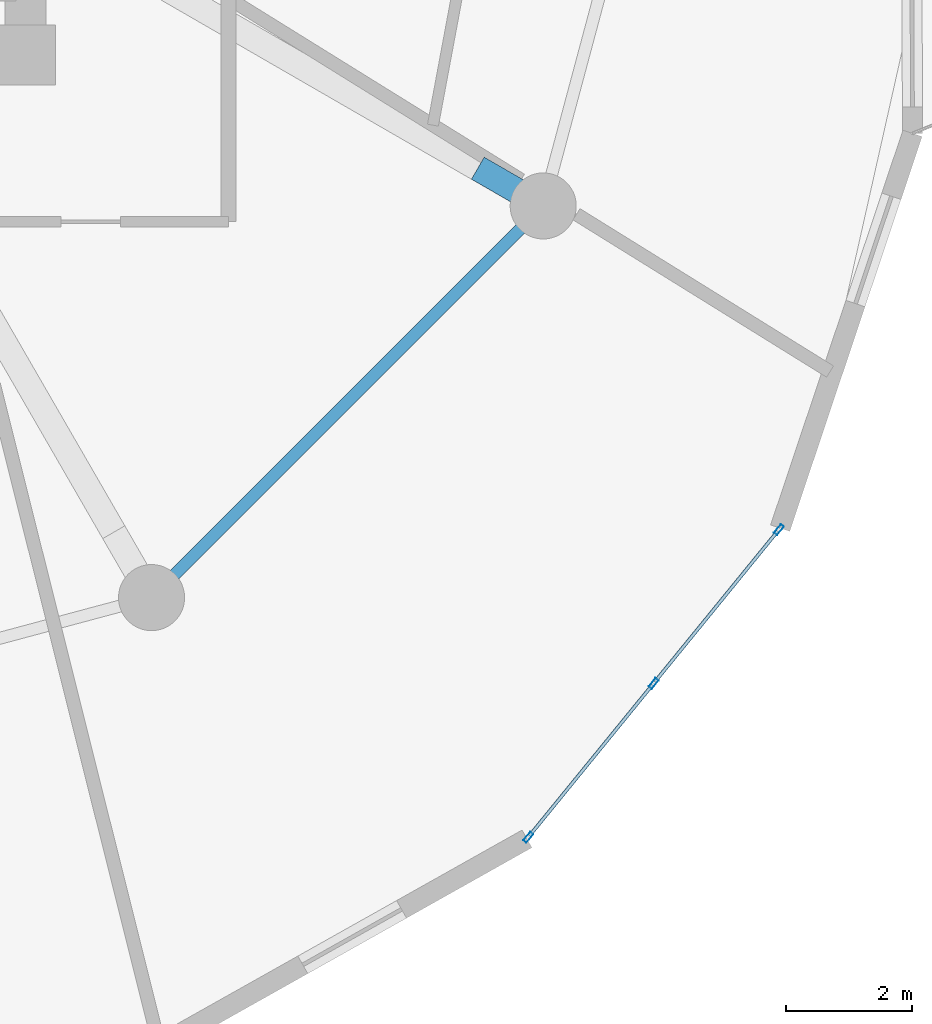
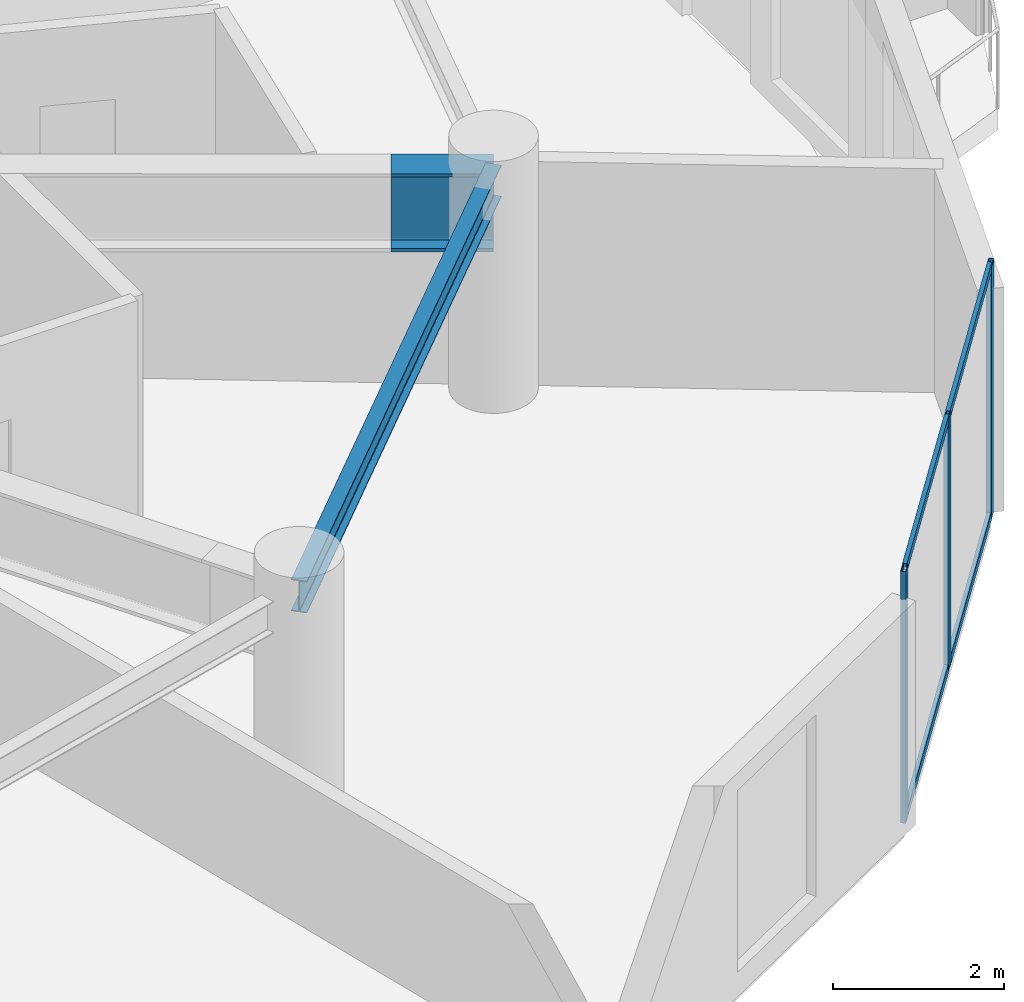
# One storey, part 9 of 22: 7 members, 2 beams, 1 element without a shape of its own.
"""IFC4 building model written with IfcOpenShell, lengths in metres."""

from ifc_helpers import new_model, si_unit, direction, frame, origin, origin_2d, place, context, subcontext, project, spatial, hollow_rectangle, i_section, extrude, source, transform, mapped, material, layer, layer_set, material_profile, profile_set, type_object, element, aggregate, save


model = new_model("IFC4")

# Units and contexts
model_context = context("Model", 3, precision=1e-05, world=origin(), true_north=direction((0.0, 1.0)))
body_context = subcontext(model_context, "Body", "Model", "MODEL_VIEW")
ifc_project = project(units=[si_unit("LENGTHUNIT", "METRE"), si_unit("AREAUNIT", "SQUARE_METRE"), si_unit("VOLUMEUNIT", "CUBIC_METRE"), si_unit("PLANEANGLEUNIT", "RADIAN"), si_unit("MASSUNIT", "GRAM", prefix="KILO")], contexts=[model_context])

# Site, building, storey
site_placement = place(None, origin())
site = spatial("IfcSite", under=ifc_project, at=site_placement, CompositionType="ELEMENT")
building_placement = place(site_placement, origin())
building = spatial("IfcBuilding", under=site, at=building_placement, Name="Solvirekh Grand Hotel", CompositionType="ELEMENT")
storey_placement = place(building_placement, frame((0.0, 0.0, 160.199951171875)))
storey = spatial("IfcBuildingStorey", under=building, at=storey_placement, Name="L41", CompositionType="ELEMENT", Elevation=160.199951171875)

# Beams
ifc_material_1 = material(Name="Steel S355", Category="steel")
ifc_material_profile_1 = material_profile(ifc_material_1, i_section(OverallWidth=0.18994140625, OverallDepth=0.45703125, WebThickness=0.009033203125, FlangeThickness=0.013916015625, FilletRadius=0.012939453125, at=origin_2d()), Name="W460X74")
ifc_profile_set_1 = profile_set([ifc_material_profile_1], Name="Steel S355")
beam_type_1 = type_object("IfcBeamType", Name="Spandrel_Ring_W460", PredefinedType="SPANDREL", material=ifc_profile_set_1)
beam_1_placement = place(storey_placement, frame((8.5, -14.721923828125, 2.97216796875), z_axis=(0.707106781187, 0.707106781187, 0.0), x_axis=(-0.707106781187, 0.707106781187, 0.0)))
element("IfcBeam", 1, at=beam_1_placement, inside=storey, type_object=beam_type_1, Name="L41 perimeter spandrel beam 11", PredefinedType="SPANDREL", context=body_context, shape_type="SweptSolid", body=[
    extrude(i_section(OverallWidth=0.18994140625, OverallDepth=0.45703125, WebThickness=0.009033203125, FlangeThickness=0.013916015625, FilletRadius=0.012939453125, at=origin_2d()), origin(), (0.0, 0.0, 1.0), 8.799072265625),
])
ifc_material_2 = material(Name="Steel S460", Category="steel")
ifc_material_profile_2 = material_profile(ifc_material_2, i_section(OverallWidth=0.405029296875, OverallDepth=1.117919921875, WebThickness=0.02587890625, FlangeThickness=0.048095703125, FilletRadius=0.02392578125, at=origin_2d()), Name="W1100X499")
ifc_profile_set_2 = profile_set([ifc_material_profile_2], Name="Steel S460")
beam_type_2 = type_object("IfcBeamType", Name="TransferGirder_W1100", PredefinedType="USERDEFINED", material=ifc_profile_set_2)
beam_2_placement = place(storey_placement, frame((13.68310546875, -7.89990234375, 2.64111328125), z_axis=(0.865904249203, -0.500209787201, 0.0), x_axis=(0.500209787201, 0.865904249203, 0.0)))
element("IfcBeam", 2, at=beam_2_placement, inside=storey, type_object=beam_type_2, Name="L41 outer radial transfer girder 12B", ObjectType="TRANSFER GIRDER", PredefinedType="USERDEFINED", context=body_context, shape_type="SweptSolid", body=[
    extrude(i_section(OverallWidth=0.405029296875, OverallDepth=1.117919921875, WebThickness=0.02587890625, FlangeThickness=0.048095703125, FilletRadius=0.02392578125, at=origin_2d()), origin(), (0.0, 0.0, 1.0), 1.19970703125),
])

# Curtain wall, members
ifc_material_3 = material(Name="Anodized Bronze Aluminium 6063-T6", Category="aluminium")
ifc_layer = layer(ifc_material_3, 0.175048828125)
ifc_layer_set = layer_set([ifc_layer], Name="Anodized Bronze Aluminium 6063-T6")
curtain_wall_type = type_object("IfcCurtainWallType", Name="CW_Sys3_MidZoneFlushBronzeCW", PredefinedType="NOTDEFINED", material=ifc_layer_set)
curtain_wall_placement = place(storey_placement, origin())
curtain_wall = element("IfcCurtainWall", 3, at=curtain_wall_placement, inside=storey, type_object=curtain_wall_type, Name="L41 unitised bronze-glass curtain wall CW-L41-C01", PredefinedType="NOTDEFINED")
ifc_material_profile_3 = material_profile(ifc_material_3, hollow_rectangle(XDim=0.06494140625, YDim=0.175048828125, WallThickness=0.0048828125, at=origin_2d()), Name="ALU RHS 175X65X5")
ifc_profile_set_3 = profile_set([ifc_material_profile_3], Name="Anodized Bronze Aluminium 6063-T6")
member_type_1 = type_object("IfcMemberType", Name="CWMullion_Sys3", PredefinedType="MULLION", material=ifc_profile_set_3)
shared_shape_1 = source(origin(), body_context, "Body", "SweptSolid", [
    extrude(hollow_rectangle(XDim=0.06494140625, YDim=0.175048828125, WallThickness=0.0048828125, at=origin_2d()), origin(), (0.0, 0.0, 1.0), 3.60009765625),
])
member_1_placement = place(storey_placement, frame((14.484619140625, -18.52978515625, 0.0), z_axis=(0.0, 0.0, 1.0), x_axis=(-0.77521505001, 0.631697416679, 0.0)))
member_1 = element("IfcMember", 4, at=member_1_placement, type_object=member_type_1, Name="U03 mullion 1", PredefinedType="MULLION", context=body_context, shape_type="MappedRepresentation", body=[
    mapped(shared_shape_1, transform((0.0, 0.0, 0.0), x_axis=(1.0, 0.0, 0.0), y_axis=(0.0, 1.0, 0.0), z_axis=(0.0, 0.0, 1.0), scale=1.0)),
])
member_2_placement = place(storey_placement, frame((16.4755859375, -16.08642578125, 0.0), z_axis=(0.0, 0.0, 1.0), x_axis=(-0.77521505001, 0.631697416679, 0.0)))
member_2 = element("IfcMember", 5, at=member_2_placement, type_object=member_type_1, Name="U03 mullion 2", PredefinedType="MULLION", context=body_context, shape_type="MappedRepresentation", body=[
    mapped(shared_shape_1, transform((0.0, 0.0, 0.0), x_axis=(1.0, 0.0, 0.0), y_axis=(0.0, 1.0, 0.0), z_axis=(0.0, 0.0, 1.0), scale=1.0)),
])
member_3_placement = place(storey_placement, frame((18.466552734375, -13.643310546875, 0.0), z_axis=(0.0, 0.0, 1.0), x_axis=(-0.77521505001, 0.631697416679, 0.0)))
member_3 = element("IfcMember", 6, at=member_3_placement, type_object=member_type_1, Name="U03 mullion 3", PredefinedType="MULLION", context=body_context, shape_type="MappedRepresentation", body=[
    mapped(shared_shape_1, transform((0.0, 0.0, 0.0), x_axis=(1.0, 0.0, 0.0), y_axis=(0.0, 1.0, 0.0), z_axis=(0.0, 0.0, 1.0), scale=1.0)),
])
ifc_material_profile_4 = material_profile(ifc_material_3, hollow_rectangle(XDim=0.054931640625, YDim=0.1201171875, WallThickness=0.00390625, at=origin_2d()), Name="ALU RHS 120X55X4")
ifc_profile_set_4 = profile_set([ifc_material_profile_4], Name="Anodized Bronze Aluminium 6063-T6")
member_type_2 = type_object("IfcMemberType", Name="CWTransom_Sys3", PredefinedType="USERDEFINED", material=ifc_profile_set_4)
shared_shape_2 = source(origin(), body_context, "Body", "SweptSolid", [
    extrude(hollow_rectangle(XDim=0.054931640625, YDim=0.1201171875, WallThickness=0.00390625, at=origin_2d()), origin(), (0.0, 0.0, 1.0), 3.086669921875),
])
member_4_placement = place(storey_placement, frame((14.505126953125, -18.504638671875, 0.027587890625), z_axis=(0.631720484373, 0.775196252328, 0.0), x_axis=(-0.775196252328, 0.631720484373, 0.0)))
member_4 = element("IfcMember", 7, at=member_4_placement, type_object=member_type_2, Name="U03 transom 1.1", ObjectType="TRANSOM", PredefinedType="USERDEFINED", context=body_context, shape_type="MappedRepresentation", body=[
    mapped(shared_shape_2, transform((0.0, 0.0, 0.0), x_axis=(1.0, 0.0, 0.0), y_axis=(0.0, 1.0, 0.0), z_axis=(0.0, 0.0, 1.0), scale=1.0)),
])
member_5_placement = place(storey_placement, frame((14.505126953125, -18.504638671875, 3.572509765625), z_axis=(0.631720484373, 0.775196252328, 0.0), x_axis=(-0.775196252328, 0.631720484373, 0.0)))
member_5 = element("IfcMember", 8, at=member_5_placement, type_object=member_type_2, Name="U03 transom 1.2", ObjectType="TRANSOM", PredefinedType="USERDEFINED", context=body_context, shape_type="MappedRepresentation", body=[
    mapped(shared_shape_2, transform((0.0, 0.0, 0.0), x_axis=(1.0, 0.0, 0.0), y_axis=(0.0, 1.0, 0.0), z_axis=(0.0, 0.0, 1.0), scale=1.0)),
])
member_6_placement = place(storey_placement, frame((16.49609375, -16.061279296875, 0.027587890625), z_axis=(0.631720484373, 0.775196252328, 0.0), x_axis=(-0.775196252328, 0.631720484373, 0.0)))
member_6 = element("IfcMember", 9, at=member_6_placement, type_object=member_type_2, Name="U03 transom 2.1", ObjectType="TRANSOM", PredefinedType="USERDEFINED", context=body_context, shape_type="MappedRepresentation", body=[
    mapped(shared_shape_2, transform((0.0, 0.0, 0.0), x_axis=(1.0, 0.0, 0.0), y_axis=(0.0, 1.0, 0.0), z_axis=(0.0, 0.0, 1.0), scale=1.0)),
])
member_7_placement = place(storey_placement, frame((16.49609375, -16.061279296875, 3.572509765625), z_axis=(0.631720484373, 0.775196252328, 0.0), x_axis=(-0.775196252328, 0.631720484373, 0.0)))
member_7 = element("IfcMember", 10, at=member_7_placement, type_object=member_type_2, Name="U03 transom 2.2", ObjectType="TRANSOM", PredefinedType="USERDEFINED", context=body_context, shape_type="MappedRepresentation", body=[
    mapped(shared_shape_2, transform((0.0, 0.0, 0.0), x_axis=(1.0, 0.0, 0.0), y_axis=(0.0, 1.0, 0.0), z_axis=(0.0, 0.0, 1.0), scale=1.0)),
])
aggregate(curtain_wall, [member_1, member_2, member_3, member_4, member_5, member_6, member_7])

save(model, "model.ifc")
